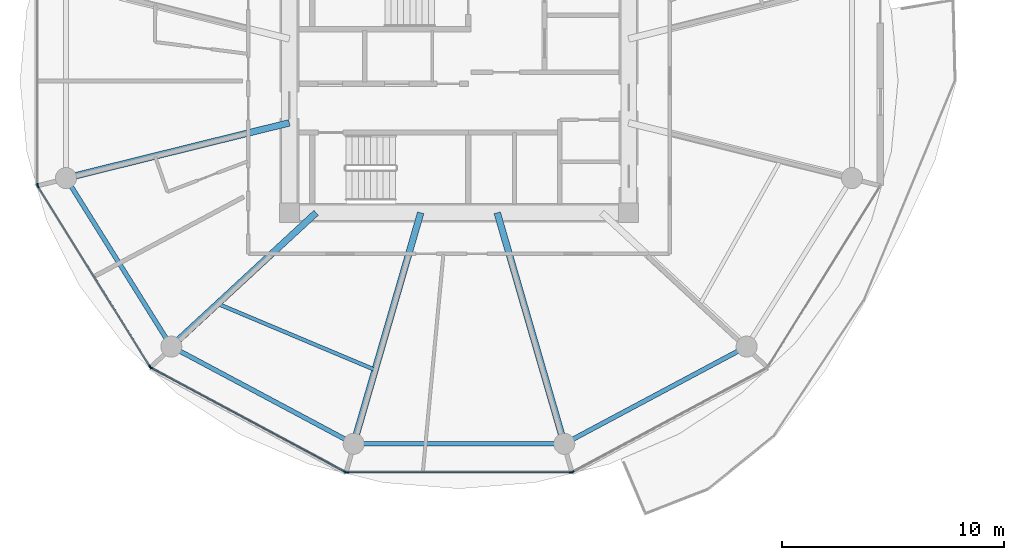
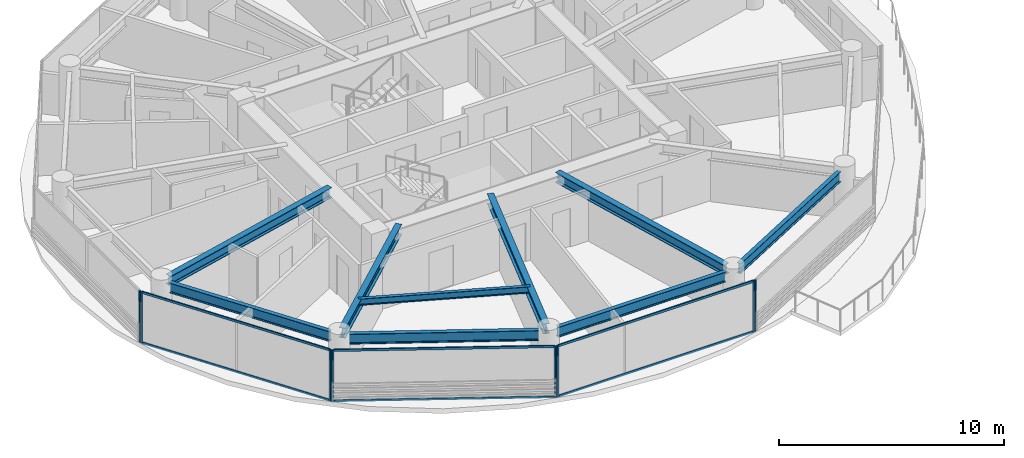
# One storey, part 2 of 27: 14 members, 9 beams, 5 elements without a shape of their own.
"""IFC4 building model written with IfcOpenShell, lengths in metres."""

from ifc_helpers import new_model, si_unit, direction, frame, origin, origin_2d, place, context, subcontext, project, spatial, rectangle, i_section, extrude, source, transform, mapped, material, layer, layer_set, material_profile, profile_set, type_object, type_shapes, element, aggregate, save


model = new_model("IFC4")

# Units and contexts
model_context = context("Model", 3, precision=1e-05, world=origin(), true_north=direction((0.0, 1.0)))
body_context = subcontext(model_context, "Body", "Model", "MODEL_VIEW")
ifc_project = project(units=[si_unit("LENGTHUNIT", "METRE"), si_unit("AREAUNIT", "SQUARE_METRE"), si_unit("VOLUMEUNIT", "CUBIC_METRE"), si_unit("PLANEANGLEUNIT", "RADIAN"), si_unit("MASSUNIT", "GRAM", prefix="KILO")], contexts=[model_context])

# Site, building, storey
site_placement = place(None, origin())
site = spatial("IfcSite", under=ifc_project, at=site_placement, CompositionType="ELEMENT")
building_placement = place(site_placement, origin())
building = spatial("IfcBuilding", under=site, at=building_placement, Name="Norrkilde Senior Care Towers", CompositionType="ELEMENT")
storey_placement = place(building_placement, frame((0.0, 0.0, 58.199951171875)))
storey = spatial("IfcBuildingStorey", under=building, at=storey_placement, Name="L17", CompositionType="ELEMENT", Elevation=58.199951171875)

# Beams
ifc_material_1 = material(Name="Steel S355", Category="steel")
ifc_material_profile_1 = material_profile(ifc_material_1, i_section(OverallWidth=0.2099609375, OverallDepth=0.550048828125, WebThickness=0.010986328125, FlangeThickness=0.01708984375, FilletRadius=0.02392578125, at=origin_2d()), Name="IPE 550")
ifc_profile_set_1 = profile_set([ifc_material_profile_1], Name="Steel S355")
beam_type_1 = type_object("IfcBeamType", Name="Perimeter Ring Spandrel Z1 IPE550", PredefinedType="SPANDREL", material=ifc_profile_set_1)
shared_shape_1 = source(origin(), body_context, "Body", "SweptSolid", [
    extrude(i_section(OverallWidth=0.2099609375, OverallDepth=0.550048828125, WebThickness=0.010986328125, FlangeThickness=0.01708984375, FilletRadius=0.02392578125, at=origin_2d()), origin(), (0.0, 0.0, 1.0), 8.090576171875),
])
beam_1_placement = place(storey_placement, frame((-45.494140625, -4.755859375, 2.51513671875), z_axis=(0.530004364821, -0.84799491347, 0.0), x_axis=(0.84799491347, 0.530004364821, 0.0)))
element("IfcBeam", 1, at=beam_1_placement, inside=storey, type_object=beam_type_1, Name="L17 Drum W Perimeter Spandrel 07", PredefinedType="SPANDREL", context=body_context, shape_type="MappedRepresentation", body=[
    mapped(shared_shape_1, transform((0.0, 0.0, 0.0), x_axis=(1.0, 0.0, 0.0), y_axis=(0.0, 1.0, 0.0), z_axis=(0.0, 0.0, 1.0), scale=1.0)),
])
ifc_material_profile_2 = material_profile(ifc_material_1, i_section(OverallWidth=0.300048828125, OverallDepth=0.550048828125, WebThickness=0.014892578125, FlangeThickness=0.029052734375, FilletRadius=0.027099609375, at=origin_2d()), Name="HEB 550")
ifc_profile_set_2 = profile_set([ifc_material_profile_2], Name="Steel S355")
beam_type_2 = type_object("IfcBeamType", Name="Radial Floor Beam Z1 HEB550", PredefinedType="BEAM", material=ifc_profile_set_2)
shared_shape_2 = source(origin(), body_context, "Body", "SweptSolid", [
    extrude(i_section(OverallWidth=0.300048828125, OverallDepth=0.550048828125, WebThickness=0.014892578125, FlangeThickness=0.029052734375, FilletRadius=0.027099609375, at=origin_2d()), origin(), (0.0, 0.0, 1.0), 9.94384765625),
])
beam_2_placement = place(storey_placement, frame((-35.64990234375, -1.893310546875, 2.51513671875), z_axis=(-0.970707425182, -0.240264634718, 0.0), x_axis=(0.240264634718, -0.970707425182, 0.0)))
element("IfcBeam", 2, at=beam_2_placement, inside=storey, type_object=beam_type_2, Name="L17 Drum W Radial Floor Beam 07", PredefinedType="BEAM", context=body_context, shape_type="MappedRepresentation", body=[
    mapped(shared_shape_2, transform((0.0, 0.0, 0.0), x_axis=(1.0, 0.0, 0.0), y_axis=(0.0, 1.0, 0.0), z_axis=(0.0, 0.0, 1.0), scale=1.0)),
])
shared_shape_3 = source(origin(), body_context, "Body", "SweptSolid", [
    extrude(i_section(OverallWidth=0.2099609375, OverallDepth=0.550048828125, WebThickness=0.010986328125, FlangeThickness=0.01708984375, FilletRadius=0.02392578125, at=origin_2d()), origin(), (0.0, 0.0, 1.0), 8.452880859375),
])
for number, where, z_axis, x_axis, name in (
    (3, (-40.591552734375, -12.190185546875, 2.51513671875), (0.882368931134, -0.470558252898, 0.0), (0.470558252898, 0.882368931134, 0.0), "L17 Drum W Perimeter Spandrel 08"),
    (4, (-22.866943359375, -16.167724609375, 2.51513671875), (0.882368931134, 0.470558252898, 0.0), (-0.470558252898, 0.882368931134, 0.0), "L17 Drum W Perimeter Spandrel 10"),
):
    element("IfcBeam", number, at=place(storey_placement, frame(where, z_axis=z_axis, x_axis=x_axis)), inside=storey, type_object=beam_type_1, Name=name, PredefinedType="SPANDREL", context=body_context, shape_type="MappedRepresentation", body=[
        mapped(shared_shape_3, transform((0.0, 0.0, 0.0), x_axis=(1.0, 0.0, 0.0), y_axis=(0.0, 1.0, 0.0), z_axis=(0.0, 0.0, 1.0), scale=1.0)),
    ])
shared_shape_4 = source(origin(), body_context, "Body", "SweptSolid", [
    extrude(i_section(OverallWidth=0.300048828125, OverallDepth=0.550048828125, WebThickness=0.014892578125, FlangeThickness=0.029052734375, FilletRadius=0.027099609375, at=origin_2d()), origin(), (0.0, 0.0, 1.0), 8.459716796875),
])
beam_3_placement = place(storey_placement, frame((-34.44140625, -5.949951171875, 2.51513671875), z_axis=(-0.734573269108, -0.678529374686, 0.0), x_axis=(0.678529374686, -0.734573269108, 0.0)))
element("IfcBeam", 5, at=beam_3_placement, inside=storey, type_object=beam_type_2, Name="L17 Drum W Radial Floor Beam 08", PredefinedType="BEAM", context=body_context, shape_type="MappedRepresentation", body=[
    mapped(shared_shape_4, transform((0.0, 0.0, 0.0), x_axis=(1.0, 0.0, 0.0), y_axis=(0.0, 1.0, 0.0), z_axis=(0.0, 0.0, 1.0), scale=1.0)),
])
shared_shape_5 = source(origin(), body_context, "Body", "SweptSolid", [
    extrude(i_section(OverallWidth=0.2099609375, OverallDepth=0.550048828125, WebThickness=0.010986328125, FlangeThickness=0.01708984375, FilletRadius=0.02392578125, at=origin_2d()), origin(), (0.0, 0.0, 1.0), 8.62841796875),
])
type_shapes(beam_type_1, [shared_shape_1, shared_shape_3, shared_shape_5])
beam_4_placement = place(storey_placement, frame((-32.314208984375, -16.37255859375, 2.51513671875), z_axis=(1.0, 0.0, 0.0), x_axis=(0.0, 1.0, 0.0)))
element("IfcBeam", 6, at=beam_4_placement, inside=storey, type_object=beam_type_1, Name="L17 Drum W Perimeter Spandrel 09", PredefinedType="SPANDREL", context=body_context, shape_type="MappedRepresentation", body=[
    mapped(shared_shape_5, transform((0.0, 0.0, 0.0), x_axis=(1.0, 0.0, 0.0), y_axis=(0.0, 1.0, 0.0), z_axis=(0.0, 0.0, 1.0), scale=1.0)),
])
shared_shape_6 = source(origin(), body_context, "Body", "SweptSolid", [
    extrude(i_section(OverallWidth=0.300048828125, OverallDepth=0.550048828125, WebThickness=0.014892578125, FlangeThickness=0.029052734375, FilletRadius=0.027099609375, at=origin_2d()), origin(), (0.0, 0.0, 1.0), 10.4169921875),
])
type_shapes(beam_type_2, [shared_shape_2, shared_shape_4, shared_shape_6])
for number, where, z_axis, x_axis, name in (
    (7, (-29.72607421875, -5.949951171875, 2.51513671875), (-0.278591250785, -0.960409764104, 0.0), (0.960409764104, -0.278591250785, 0.0), "L17 Drum W Radial Floor Beam 09"),
    (8, (-26.27392578125, -5.949951171875, 2.51513671875), (0.278591250785, -0.960409764104, 0.0), (0.960409764104, 0.278591250785, 0.0), "L17 Drum W Radial Floor Beam 10"),
):
    element("IfcBeam", number, at=place(storey_placement, frame(where, z_axis=z_axis, x_axis=x_axis)), inside=storey, type_object=beam_type_2, Name=name, PredefinedType="BEAM", context=body_context, shape_type="MappedRepresentation", body=[
        mapped(shared_shape_6, transform((0.0, 0.0, 0.0), x_axis=(1.0, 0.0, 0.0), y_axis=(0.0, 1.0, 0.0), z_axis=(0.0, 0.0, 1.0), scale=1.0)),
    ])
ifc_material_profile_3 = material_profile(ifc_material_1, i_section(OverallWidth=0.169921875, OverallDepth=0.360107421875, WebThickness=0.008056640625, FlangeThickness=0.0126953125, FilletRadius=0.01806640625, at=origin_2d()), Name="IPE 360")
ifc_profile_set_3 = profile_set([ifc_material_profile_3], Name="Steel S355")
beam_type_3 = type_object("IfcBeamType", Name="Secondary Floor Joist IPE360", PredefinedType="JOIST", material=ifc_profile_set_3)
shared_shape_7 = source(origin(), body_context, "Body", "SweptSolid", [
    extrude(i_section(OverallWidth=0.169921875, OverallDepth=0.360107421875, WebThickness=0.008056640625, FlangeThickness=0.0126953125, FilletRadius=0.01806640625, at=origin_2d()), origin(), (0.0, 0.0, 1.0), 7.703857421875),
])
type_shapes(beam_type_3, [shared_shape_7])
beam_5_placement = place(storey_placement, frame((-38.884521484375, -10.05419921875, 2.610107421875), z_axis=(0.921982784465, -0.387230868023, 0.0), x_axis=(0.387230868023, 0.921982784465, 0.0)))
element("IfcBeam", 9, at=beam_5_placement, inside=storey, type_object=beam_type_3, Name="L17 Drum W Secondary Floor Joist 3", PredefinedType="JOIST", context=body_context, shape_type="MappedRepresentation", body=[
    mapped(shared_shape_7, transform((0.0, 0.0, 0.0), x_axis=(1.0, 0.0, 0.0), y_axis=(0.0, 1.0, 0.0), z_axis=(0.0, 0.0, 1.0), scale=1.0)),
])

# Curtain wall, member
ifc_material_2 = material(Name="Triple Low-E Insulated Glazing", Category="glass")
ifc_layer = layer(ifc_material_2, 0.199951171875)
ifc_layer_set = layer_set([ifc_layer], Name="Triple Low-E Insulated Glazing")
curtain_wall_type = type_object("IfcCurtainWallType", Name="CW2 Zone 1 Memory Care Curtain Wall", PredefinedType="NOTDEFINED", material=ifc_layer_set)
curtain_wall_1_placement = place(storey_placement, origin())
curtain_wall_1 = element("IfcCurtainWall", 10, at=curtain_wall_1_placement, inside=storey, type_object=curtain_wall_type, Name="L17 Drum W Curtain Wall 05", PredefinedType="NOTDEFINED")
ifc_material_3 = material(Name="Anodised Aluminium", Category="aluminium")
ifc_material_profile_4 = material_profile(ifc_material_3, rectangle(XDim=0.06494140625, YDim=0.159912109375, at=origin_2d()), Name="ALU MULL 65x160")
ifc_profile_set_4 = profile_set([ifc_material_profile_4], Name="Anodised Aluminium")
member_type_1 = type_object("IfcMemberType", Name="Curtain Wall Mullion Z1-Z2 65x160", PredefinedType="MULLION", material=ifc_profile_set_4)
shared_shape_8 = source(origin(), body_context, "Body", "SweptSolid", [
    extrude(rectangle(XDim=0.06494140625, YDim=0.159912109375, at=origin_2d()), origin(), (0.0, 0.0, 1.0), 2.7900390625),
])
type_shapes(member_type_1, [shared_shape_8])
member_1_placement = place(storey_placement, frame((-47.009521484375, -4.69873046875, 0.0), z_axis=(0.0, 0.0, 1.0), x_axis=(-1.0, 0.0, 0.0)))
member_1 = element("IfcMember", 11, at=member_1_placement, type_object=member_type_1, Name="CW-2 mullion 1", PredefinedType="MULLION", context=body_context, shape_type="MappedRepresentation", body=[
    mapped(shared_shape_8, transform((0.0, 0.0, 0.0), x_axis=(1.0, 0.0, 0.0), y_axis=(0.0, 1.0, 0.0), z_axis=(0.0, 0.0, 1.0), scale=1.0)),
])
aggregate(curtain_wall_1, [member_1])

# Curtain wall, members
curtain_wall_2_placement = place(storey_placement, origin())
curtain_wall_2 = element("IfcCurtainWall", 12, at=curtain_wall_2_placement, inside=storey, type_object=curtain_wall_type, Name="L17 Drum W Curtain Wall 06", PredefinedType="NOTDEFINED")
member_2_placement = place(storey_placement, frame((-41.93310546875, -12.898193359375, 0.0), z_axis=(0.0, 0.0, 1.0), x_axis=(-0.849305943117, -0.527900951871, 0.0)))
member_2 = element("IfcMember", 13, at=member_2_placement, type_object=member_type_1, Name="CW-2 mullion 1", PredefinedType="MULLION", context=body_context, shape_type="MappedRepresentation", body=[
    mapped(shared_shape_8, transform((0.0, 0.0, 0.0), x_axis=(1.0, 0.0, 0.0), y_axis=(0.0, 1.0, 0.0), z_axis=(0.0, 0.0, 1.0), scale=1.0)),
])
member_3_placement = place(storey_placement, frame((-46.9921875, -4.7587890625, 0.0), z_axis=(0.0, 0.0, 1.0), x_axis=(-0.849305943117, -0.527900951871, 0.0)))
member_3 = element("IfcMember", 14, at=member_3_placement, type_object=member_type_1, Name="CW-2 mullion 2", PredefinedType="MULLION", context=body_context, shape_type="MappedRepresentation", body=[
    mapped(shared_shape_8, transform((0.0, 0.0, 0.0), x_axis=(1.0, 0.0, 0.0), y_axis=(0.0, 1.0, 0.0), z_axis=(0.0, 0.0, 1.0), scale=1.0)),
])

curtain_wall_3_placement = place(storey_placement, origin())
curtain_wall_3 = element("IfcCurtainWall", 15, at=curtain_wall_3_placement, inside=storey, type_object=curtain_wall_type, Name="L17 Drum W Curtain Wall 07", PredefinedType="NOTDEFINED")
member_4_placement = place(storey_placement, frame((-33.122314453125, -17.641845703125, 0.0), z_axis=(0.0, 0.0, 1.0), x_axis=(-0.472607802456, -0.881272866403, 0.0)))
member_4 = element("IfcMember", 16, at=member_4_placement, type_object=member_type_1, Name="CW-2 mullion 1", PredefinedType="MULLION", context=body_context, shape_type="MappedRepresentation", body=[
    mapped(shared_shape_8, transform((0.0, 0.0, 0.0), x_axis=(1.0, 0.0, 0.0), y_axis=(0.0, 1.0, 0.0), z_axis=(0.0, 0.0, 1.0), scale=1.0)),
])
member_5_placement = place(storey_placement, frame((-41.88720703125, -12.941162109375, 0.0), z_axis=(0.0, 0.0, 1.0), x_axis=(-0.472607802456, -0.881272866403, 0.0)))
member_5 = element("IfcMember", 17, at=member_5_placement, type_object=member_type_1, Name="CW-2 mullion 2", PredefinedType="MULLION", context=body_context, shape_type="MappedRepresentation", body=[
    mapped(shared_shape_8, transform((0.0, 0.0, 0.0), x_axis=(1.0, 0.0, 0.0), y_axis=(0.0, 1.0, 0.0), z_axis=(0.0, 0.0, 1.0), scale=1.0)),
])

curtain_wall_4_placement = place(storey_placement, origin())
curtain_wall_4 = element("IfcCurtainWall", 18, at=curtain_wall_4_placement, inside=storey, type_object=curtain_wall_type, Name="L17 Drum W Curtain Wall 08", PredefinedType="NOTDEFINED")
member_6_placement = place(storey_placement, frame((-22.93896484375, -17.6572265625, 0.0), z_axis=(0.0, 0.0, 1.0), x_axis=(0.0, -1.0, 0.0)))
member_6 = element("IfcMember", 19, at=member_6_placement, type_object=member_type_1, Name="CW-2 mullion 1", PredefinedType="MULLION", context=body_context, shape_type="MappedRepresentation", body=[
    mapped(shared_shape_8, transform((0.0, 0.0, 0.0), x_axis=(1.0, 0.0, 0.0), y_axis=(0.0, 1.0, 0.0), z_axis=(0.0, 0.0, 1.0), scale=1.0)),
])
member_7_placement = place(storey_placement, frame((-33.06103515625, -17.6572265625, 0.0), z_axis=(0.0, 0.0, 1.0), x_axis=(0.0, -1.0, 0.0)))
member_7 = element("IfcMember", 20, at=member_7_placement, type_object=member_type_1, Name="CW-2 mullion 2", PredefinedType="MULLION", context=body_context, shape_type="MappedRepresentation", body=[
    mapped(shared_shape_8, transform((0.0, 0.0, 0.0), x_axis=(1.0, 0.0, 0.0), y_axis=(0.0, 1.0, 0.0), z_axis=(0.0, 0.0, 1.0), scale=1.0)),
])

# Curtain wall, member
curtain_wall_5_placement = place(storey_placement, origin())
curtain_wall_5 = element("IfcCurtainWall", 21, at=curtain_wall_5_placement, inside=storey, type_object=curtain_wall_type, Name="L17 Drum W Curtain Wall 09", PredefinedType="NOTDEFINED")
member_8_placement = place(storey_placement, frame((-22.877685546875, -17.641845703125, 0.0), z_axis=(0.0, 0.0, 1.0), x_axis=(0.472607802456, -0.881272866403, 0.0)))
member_8 = element("IfcMember", 22, at=member_8_placement, type_object=member_type_1, Name="CW-2 mullion 2", PredefinedType="MULLION", context=body_context, shape_type="MappedRepresentation", body=[
    mapped(shared_shape_8, transform((0.0, 0.0, 0.0), x_axis=(1.0, 0.0, 0.0), y_axis=(0.0, 1.0, 0.0), z_axis=(0.0, 0.0, 1.0), scale=1.0)),
])
aggregate(curtain_wall_5, [member_8])

# Member
ifc_material_profile_5 = material_profile(ifc_material_3, rectangle(XDim=0.06005859375, YDim=0.1201171875, at=origin_2d()), Name="ALU TRAN 60x120")
ifc_profile_set_5 = profile_set([ifc_material_profile_5], Name="Anodised Aluminium")
member_type_2 = type_object("IfcMemberType", Name="Curtain Wall Transom Typical 60x120", PredefinedType="USERDEFINED", material=ifc_profile_set_5)
shared_shape_9 = source(origin(), body_context, "Body", "SweptSolid", [
    extrude(rectangle(XDim=0.06005859375, YDim=0.1201171875, at=origin_2d()), origin(), (0.0, 0.0, 1.0), 9.5185546875),
])
member_9_placement = place(storey_placement, frame((-41.9501953125, -12.87060546875, 0.030029296875), z_axis=(-0.527901620669, 0.849305527413, 0.0), x_axis=(-0.849305527413, -0.527901620669, 0.0)))
member_9 = element("IfcMember", 23, at=member_9_placement, type_object=member_type_2, Name="CW-2 transom 1.1", ObjectType="TRANSOM", PredefinedType="USERDEFINED", context=body_context, shape_type="MappedRepresentation", body=[
    mapped(shared_shape_9, transform((0.0, 0.0, 0.0), x_axis=(1.0, 0.0, 0.0), y_axis=(0.0, 1.0, 0.0), z_axis=(0.0, 0.0, 1.0), scale=1.0)),
])

member_10_placement = place(storey_placement, frame((-41.9501953125, -12.87060546875, 2.760009765625), z_axis=(-0.527901620669, 0.849305527413, 0.0), x_axis=(-0.849305527413, -0.527901620669, 0.0)))
member_10 = element("IfcMember", 24, at=member_10_placement, type_object=member_type_2, Name="CW-2 transom 1.2", ObjectType="TRANSOM", PredefinedType="USERDEFINED", context=body_context, shape_type="MappedRepresentation", body=[
    mapped(shared_shape_9, transform((0.0, 0.0, 0.0), x_axis=(1.0, 0.0, 0.0), y_axis=(0.0, 1.0, 0.0), z_axis=(0.0, 0.0, 1.0), scale=1.0)),
])

aggregate(curtain_wall_2, [member_2, member_3, member_9, member_10])

shared_shape_10 = source(origin(), body_context, "Body", "SweptSolid", [
    extrude(rectangle(XDim=0.06005859375, YDim=0.1201171875, at=origin_2d()), origin(), (0.0, 0.0, 1.0), 9.880859375),
])
member_11_placement = place(storey_placement, frame((-33.15087890625, -17.62646484375, 0.030029296875), z_axis=(-0.881267204043, 0.47261836092, 0.0), x_axis=(-0.47261836092, -0.881267204043, 0.0)))
member_11 = element("IfcMember", 25, at=member_11_placement, type_object=member_type_2, Name="CW-2 transom 1.1", ObjectType="TRANSOM", PredefinedType="USERDEFINED", context=body_context, shape_type="MappedRepresentation", body=[
    mapped(shared_shape_10, transform((0.0, 0.0, 0.0), x_axis=(1.0, 0.0, 0.0), y_axis=(0.0, 1.0, 0.0), z_axis=(0.0, 0.0, 1.0), scale=1.0)),
])

member_12_placement = place(storey_placement, frame((-33.15087890625, -17.62646484375, 2.760009765625), z_axis=(-0.881267204043, 0.47261836092, 0.0), x_axis=(-0.47261836092, -0.881267204043, 0.0)))
member_12 = element("IfcMember", 26, at=member_12_placement, type_object=member_type_2, Name="CW-2 transom 1.2", ObjectType="TRANSOM", PredefinedType="USERDEFINED", context=body_context, shape_type="MappedRepresentation", body=[
    mapped(shared_shape_10, transform((0.0, 0.0, 0.0), x_axis=(1.0, 0.0, 0.0), y_axis=(0.0, 1.0, 0.0), z_axis=(0.0, 0.0, 1.0), scale=1.0)),
])

aggregate(curtain_wall_3, [member_4, member_5, member_11, member_12])

shared_shape_11 = source(origin(), body_context, "Body", "SweptSolid", [
    extrude(rectangle(XDim=0.06005859375, YDim=0.1201171875, at=origin_2d()), origin(), (0.0, 0.0, 1.0), 10.05712890625),
])
type_shapes(member_type_2, [shared_shape_9, shared_shape_10, shared_shape_11])
member_13_placement = place(storey_placement, frame((-22.971435546875, -17.6572265625, 0.030029296875), z_axis=(-1.0, 0.0, 0.0), x_axis=(0.0, -1.0, 0.0)))
member_13 = element("IfcMember", 27, at=member_13_placement, type_object=member_type_2, Name="CW-2 transom 1.1", ObjectType="TRANSOM", PredefinedType="USERDEFINED", context=body_context, shape_type="MappedRepresentation", body=[
    mapped(shared_shape_11, transform((0.0, 0.0, 0.0), x_axis=(1.0, 0.0, 0.0), y_axis=(0.0, 1.0, 0.0), z_axis=(0.0, 0.0, 1.0), scale=1.0)),
])

member_14_placement = place(storey_placement, frame((-22.971435546875, -17.6572265625, 2.760009765625), z_axis=(-1.0, 0.0, 0.0), x_axis=(0.0, -1.0, 0.0)))
member_14 = element("IfcMember", 28, at=member_14_placement, type_object=member_type_2, Name="CW-2 transom 1.2", ObjectType="TRANSOM", PredefinedType="USERDEFINED", context=body_context, shape_type="MappedRepresentation", body=[
    mapped(shared_shape_11, transform((0.0, 0.0, 0.0), x_axis=(1.0, 0.0, 0.0), y_axis=(0.0, 1.0, 0.0), z_axis=(0.0, 0.0, 1.0), scale=1.0)),
])

aggregate(curtain_wall_4, [member_6, member_7, member_13, member_14])

save(model, "model.ifc")
